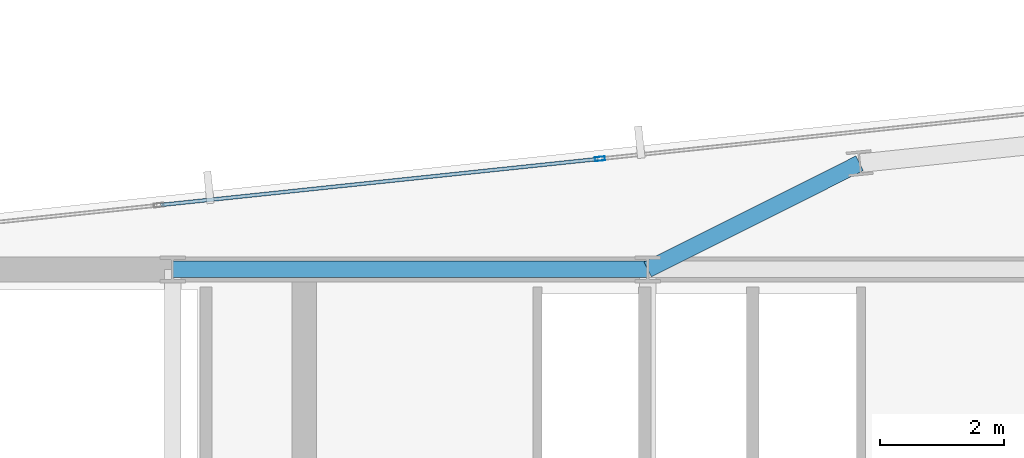
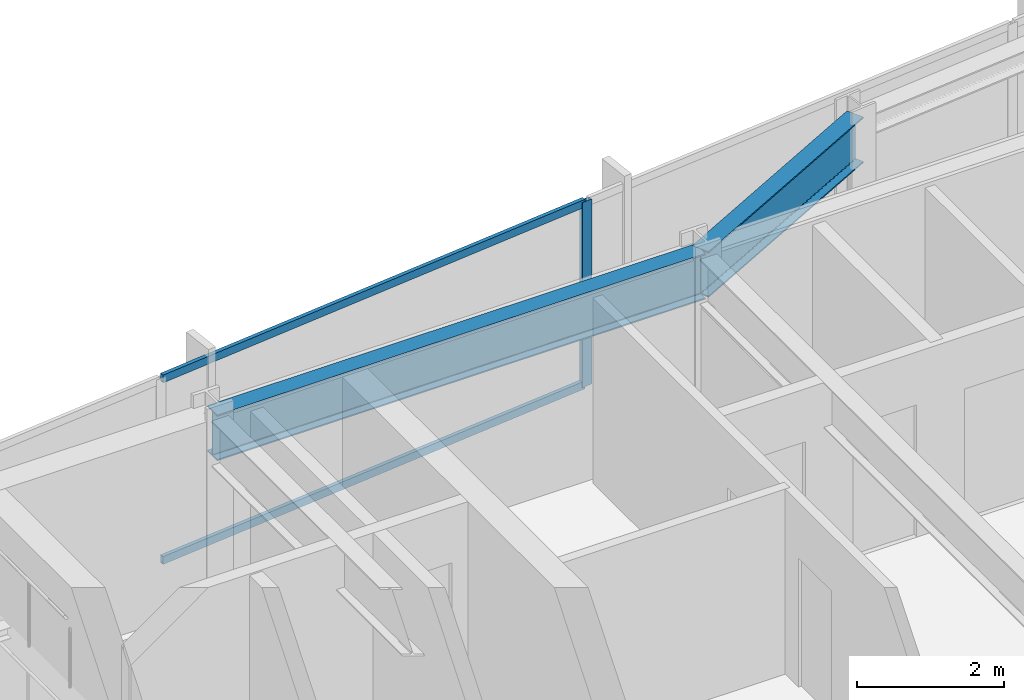
# One storey, part 21 of 33: 3 members, 2 beams, 1 element without a shape of its own.
"""IFC4 building model written with IfcOpenShell, lengths in metres."""

from ifc_helpers import new_model, si_unit, direction, frame, origin, origin_2d, place, context, subcontext, project, spatial, hollow_rectangle, i_section, extrude, material, material_profile, profile_set, type_object, element, aggregate, save


model = new_model("IFC4")

# Units and contexts
model_context = context("Model", 3, precision=1e-05, world=origin(), true_north=direction((0.0, 1.0)))
body_context = subcontext(model_context, "Body", "Model", "MODEL_VIEW")
ifc_project = project(units=[si_unit("LENGTHUNIT", "METRE"), si_unit("AREAUNIT", "SQUARE_METRE"), si_unit("VOLUMEUNIT", "CUBIC_METRE"), si_unit("PLANEANGLEUNIT", "RADIAN"), si_unit("MASSUNIT", "GRAM", prefix="KILO")], contexts=[model_context])

# Site, building, storey
site_placement = place(None, origin())
site = spatial("IfcSite", under=ifc_project, at=site_placement, CompositionType="ELEMENT")
building_placement = place(site_placement, origin())
building = spatial("IfcBuilding", under=site, at=building_placement, Name="Yelkora Congress Tower", CompositionType="ELEMENT")
storey_placement = place(building_placement, frame((0.0, 0.0, 240.800048828125)))
storey = spatial("IfcBuildingStorey", under=building, at=storey_placement, Name="L67", CompositionType="ELEMENT", Elevation=240.800048828125)

# Beams
ifc_material_1 = material(Name="Steel S355J2", Category="steel")
ifc_material_profile_1 = material_profile(ifc_material_1, i_section(OverallWidth=0.26708984375, OverallDepth=0.761962890625, WebThickness=0.014404296875, FlangeThickness=0.021484375, FilletRadius=0.01708984375, at=origin_2d()), Name="IPE 750x173")
ifc_profile_set_1 = profile_set([ifc_material_profile_1], Name="Steel S355J2")
beam_type = type_object("IfcBeamType", Name="BM-GIRD-IPE750", PredefinedType="BEAM", material=ifc_profile_set_1)
beam_1_placement = place(storey_placement, frame((30.719970703125, 46.199951171875, 2.698974609375), z_axis=(1.0, 0.0, 0.0), x_axis=(0.0, 1.0, 0.0)))
element("IfcBeam", 1, at=beam_1_placement, inside=storey, type_object=beam_type, Name="L67 Core North Girder 3", PredefinedType="BEAM", context=body_context, shape_type="SweptSolid", body=[
    extrude(i_section(OverallWidth=0.26708984375, OverallDepth=0.761962890625, WebThickness=0.014404296875, FlangeThickness=0.021484375, FilletRadius=0.01708984375, at=origin_2d()), origin(), (0.0, 0.0, 1.0), 7.679931640625),
])
beam_2_placement = place(storey_placement, frame((41.828125, 47.91748046875, 2.698974609375), z_axis=(-0.894070348256, -0.447926570288, 0.0), x_axis=(0.447926570288, -0.894070348256, 0.0)))
element("IfcBeam", 2, at=beam_2_placement, inside=storey, type_object=beam_type, Name="L67 Primary Frame Girder N04", PredefinedType="BEAM", context=body_context, shape_type="SweptSolid", body=[
    extrude(i_section(OverallWidth=0.26708984375, OverallDepth=0.761962890625, WebThickness=0.014404296875, FlangeThickness=0.021484375, FilletRadius=0.01708984375, at=origin_2d()), origin(), (0.0, 0.0, 1.0), 3.83447265625),
])

# Curtain wall, members
ifc_material_2 = material(Name="Anodised aluminium and insulated glass", Category="aluminium")
curtain_wall_type = type_object("IfcCurtainWallType", Name="CW-SYS-B4", PredefinedType="NOTDEFINED", material=ifc_material_2)
curtain_wall_placement = place(storey_placement, origin())
curtain_wall = element("IfcCurtainWall", 3, at=curtain_wall_placement, inside=storey, type_object=curtain_wall_type, Name="L67 Unitised Curtain Wall 10 (3)", PredefinedType="NOTDEFINED")
ifc_material_3 = material(Name="Anodised aluminium 6063-T6", Category="aluminium")
ifc_material_profile_2 = material_profile(ifc_material_3, hollow_rectangle(XDim=0.06494140625, YDim=0.159912109375, WallThickness=0.00390625, at=origin_2d()), Name="ALU 65x160x4")
ifc_profile_set_2 = profile_set([ifc_material_profile_2], Name="Anodised aluminium 6063-T6")
member_type_1 = type_object("IfcMemberType", Name="MEM-ML-B4", PredefinedType="MULLION", material=ifc_profile_set_2)
member_1_placement = place(storey_placement, frame((37.62744140625, 47.98876953125, 0.0), z_axis=(0.0, 0.0, 1.0), x_axis=(-0.104527724021, 0.994521973066, 0.0)))
member_1 = element("IfcMember", 4, at=member_1_placement, type_object=member_type_1, Name="CW-B4 mullion 3", PredefinedType="MULLION", context=body_context, shape_type="SweptSolid", body=[
    extrude(hollow_rectangle(XDim=0.06494140625, YDim=0.159912109375, WallThickness=0.00390625, at=origin_2d()), origin(), (0.0, 0.0, 1.0), 3.079833984375),
])
ifc_material_profile_3 = material_profile(ifc_material_3, hollow_rectangle(XDim=0.06005859375, YDim=0.1298828125, WallThickness=0.00390625, at=origin_2d()), Name="ALU 60x130x4")
ifc_profile_set_3 = profile_set([ifc_material_profile_3], Name="Anodised aluminium 6063-T6")
member_type_2 = type_object("IfcMemberType", Name="MEM-TR-B4", PredefinedType="USERDEFINED", material=ifc_profile_set_3)
member_2_placement = place(storey_placement, frame((30.529052734375, 47.24267578125, 0.030029296875), z_axis=(0.99452200925, 0.104527379751, 0.0), x_axis=(-0.104527379751, 0.99452200925, 0.0)))
member_2 = element("IfcMember", 5, at=member_2_placement, type_object=member_type_2, Name="CW-B4 transom 2.1", ObjectType="TRANSOM", PredefinedType="USERDEFINED", context=body_context, shape_type="SweptSolid", body=[
    extrude(hollow_rectangle(XDim=0.06005859375, YDim=0.1298828125, WallThickness=0.00390625, at=origin_2d()), origin(), (0.0, 0.0, 1.0), 7.10498046875),
])
member_3_placement = place(storey_placement, frame((30.529052734375, 47.24267578125, 3.050048828125), z_axis=(0.99452200925, 0.104527379751, 0.0), x_axis=(-0.104527379751, 0.99452200925, 0.0)))
member_3 = element("IfcMember", 6, at=member_3_placement, type_object=member_type_2, Name="CW-B4 transom 2.2", ObjectType="TRANSOM", PredefinedType="USERDEFINED", context=body_context, shape_type="SweptSolid", body=[
    extrude(hollow_rectangle(XDim=0.06005859375, YDim=0.1298828125, WallThickness=0.00390625, at=origin_2d()), origin(), (0.0, 0.0, 1.0), 7.10498046875),
])
aggregate(curtain_wall, [member_1, member_2, member_3])

save(model, "model.ifc")
